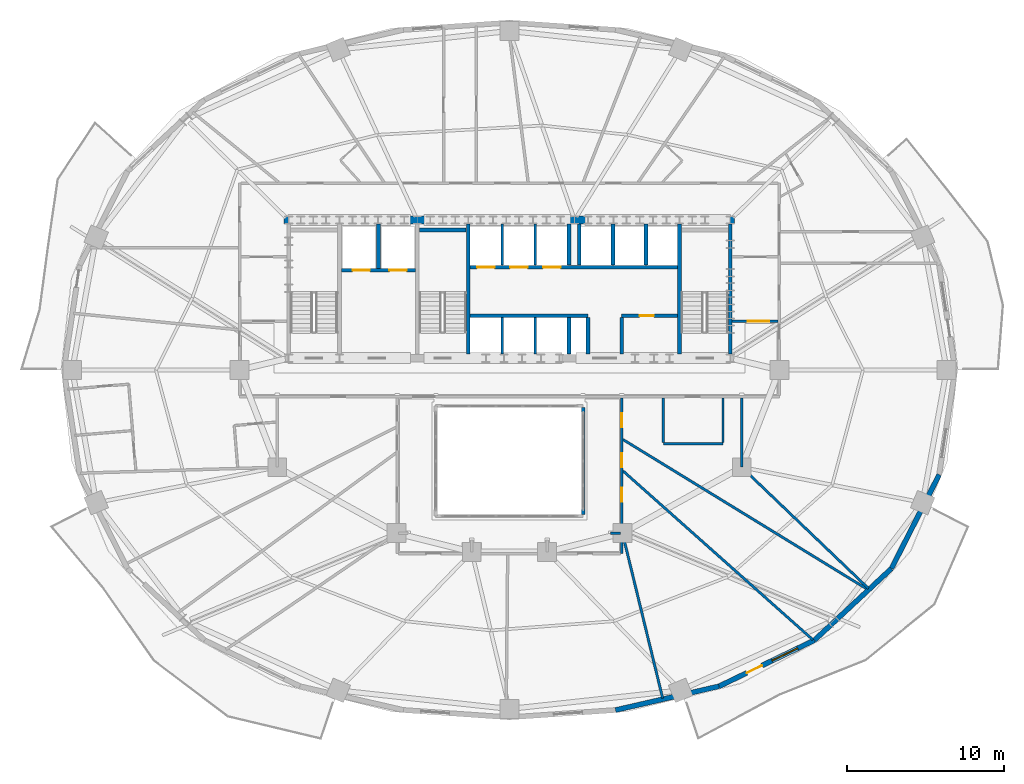
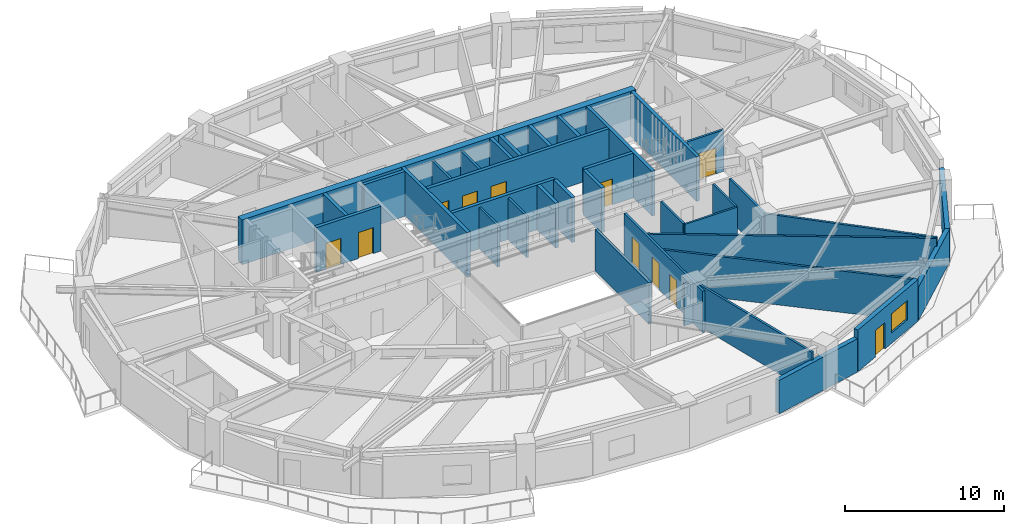
# One storey, part 8 of 14: 37 walls, 11 doors, 1 window, 12 openings.
"""IFC4 building model written with IfcOpenShell, lengths in metres."""

from ifc_helpers import new_model, si_unit, direction, frame, frame_2d, origin, place, context, subcontext, project, spatial, rectangle, extrude, material, layer, layer_set, type_object, element, fill, save


model = new_model("IFC4")

# Units and contexts
model_context = context("Model", 3, precision=1e-05, world=origin(), true_north=direction((0.0, 1.0)))
body_context = subcontext(model_context, "Body", "Model", "MODEL_VIEW")
ifc_project = project(units=[si_unit("LENGTHUNIT", "METRE"), si_unit("AREAUNIT", "SQUARE_METRE"), si_unit("VOLUMEUNIT", "CUBIC_METRE"), si_unit("PLANEANGLEUNIT", "RADIAN"), si_unit("MASSUNIT", "GRAM", prefix="KILO")], contexts=[model_context])

# Site, building, storey
site_placement = place(None, origin())
site = spatial("IfcSite", under=ifc_project, at=site_placement, CompositionType="ELEMENT")
building_placement = place(site_placement, origin())
building = spatial("IfcBuilding", under=site, at=building_placement, Name="Haldorwick Loom Tower", CompositionType="ELEMENT")
storey_placement = place(building_placement, frame((0.0, 0.0, 95.60009765625)))
storey = spatial("IfcBuildingStorey", under=building, at=storey_placement, Name="L25", CompositionType="ELEMENT", Elevation=95.60009765625)

# Wall
ifc_material_1 = material(Name="Pressed Clay Face Brick and Insulated Masonry Backup Assembly", Category="masonry")
ifc_layer_1 = layer(ifc_material_1, 0.320068359375, Name="Pressed Clay Face Brick and Insulated Masonry Backup Assembly", Category="masonry")
ifc_layer_set_1 = layer_set([ifc_layer_1], Name="Pressed Clay Face Brick and Insulated Masonry Backup Assembly")
wall_type_1 = type_object("IfcWallType", Name="ARC-WL-EXT320", PredefinedType="STANDARD", material=ifc_layer_set_1)
wall_1_placement = place(storey_placement, frame((42.757080078125, 4.325439453125, 0.0), z_axis=(0.0, 0.0, 1.0), x_axis=(0.974584177714, 0.224021607329, 0.0)))
element("IfcWall", 1, at=wall_1_placement, inside=storey, type_object=wall_type_1, Name="L25 Brick Pier and Spandrel Wall 20", PredefinedType="STANDARD", context=body_context, shape_type="SweptSolid", body=[
    extrude(rectangle(XDim=6.767822265625, YDim=0.320068359375, at=frame_2d((3.3837890625, 0.0))), origin(), (0.0, 0.0, 1.0), 2.56884765625),
])

# Wall, openings, door, window
wall_2_placement = place(storey_placement, frame((49.352783203125, 5.841552734375, 0.0), z_axis=(0.0, 0.0, 1.0), x_axis=(0.900510094661, 0.434835106004, 0.0)))
wall_2 = element("IfcWall", 2, at=wall_2_placement, inside=storey, type_object=wall_type_1, Name="L25 Brick Pier and Spandrel Wall 21", PredefinedType="STANDARD", context=body_context, shape_type="SweptSolid", body=[
    extrude(rectangle(XDim=6.744873046875, YDim=0.320068359375, at=frame_2d((3.37255859375, 0.0))), origin(), (0.0, 0.0, 1.0), 3.2099609375),
])
opening_1_placement = place(wall_2_placement, frame((1.96826171875, 0.0, 0.0)))
opening_1 = element("IfcOpeningElement", 3, at=opening_1_placement, cuts=wall_2, Name="Opening D-BL11", PredefinedType="OPENING", context=body_context, shape_type="SweptSolid", body=[
    extrude(rectangle(XDim=1.080078125, YDim=2.0400390625, at=frame_2d((0.5400390625, 1.02001953125))), frame((0.0, 0.169921875, 0.0), z_axis=(0.0, -1.0, 0.0), x_axis=(1.0, 0.0, 0.0)), (0.0, 0.0, 1.0), 0.340087890625),
])
opening_2_placement = place(wall_2_placement, frame((3.763916015625, 0.0, 0.800048828125)))
opening_2 = element("IfcOpeningElement", 4, at=opening_2_placement, cuts=wall_2, Name="Opening W-01", PredefinedType="OPENING", context=body_context, shape_type="SweptSolid", body=[
    extrude(rectangle(XDim=1.800048828125, YDim=1.47998046875, at=frame_2d((0.89990234375, 0.739990234375))), frame((0.0, 0.169921875, 0.0), z_axis=(0.0, -1.0, 0.0), x_axis=(1.0, 0.0, 0.0)), (0.0, 0.0, 1.0), 0.340087890625),
])
ifc_material_2 = material(Name="Thermally Broken Anodized Aluminium Curtain Wall Framing", Category="aluminium")
door_type_1 = type_object("IfcDoorType", Name="ARC-DR-BAL110", OperationType="NOTDEFINED", PredefinedType="DOOR", material=ifc_material_2)
door_1_placement = place(opening_1_placement, origin())
door_1 = element("IfcDoor", 5, at=door_1_placement, inside=storey, type_object=door_type_1, Name="L25 Outdoor Terrace Door SLB-L25-BAL_SE", OperationType="SINGLE_SWING_RIGHT", OverallHeight=2.0400390625, OverallWidth=1.080078125, PredefinedType="DOOR", context=body_context, shape_type="SweptSolid", body=[
    extrude(rectangle(XDim=1.080078125, YDim=2.0400390625, at=frame_2d((0.5400390625, 1.02001953125))), frame((0.0, 0.02490234375, 0.0), z_axis=(0.0, -1.0, 0.0), x_axis=(1.0, 0.0, 0.0)), (0.0, 0.0, 1.0), 0.050048828125),
])
fill(opening_1, door_1)
ifc_material_3 = material(Name="Triple-Glazed Low-E Argon Insulated Glazing Unit", Category="glass")
window_type = type_object("IfcWindowType", Name="ARC-WIN-W180", PartitioningType="SINGLE_PANEL", PredefinedType="WINDOW", material=ifc_material_3)
window_placement = place(opening_2_placement, origin())
window = element("IfcWindow", 6, at=window_placement, inside=storey, type_object=window_type, Name="L25 Deep-Set Zone 7A Window 21", OverallHeight=1.47998046875, OverallWidth=1.800048828125, PartitioningType="SINGLE_PANEL", PredefinedType="WINDOW", context=body_context, shape_type="SweptSolid", body=[
    extrude(rectangle(XDim=1.800048828125, YDim=1.47998046875, at=frame_2d((0.89990234375, 0.739990234375))), frame((0.0, 0.030029296875, 0.0), z_axis=(0.0, -1.0, 0.0), x_axis=(1.0, 0.0, 0.0)), (0.0, 0.0, 1.0), 0.06005859375),
])
fill(opening_2, window)

# Walls
wall_3_placement = place(storey_placement, frame((55.426513671875, 8.7744140625, 0.0), z_axis=(0.0, 0.0, 1.0), x_axis=(0.732137360086, 0.681157020052, 0.0)))
element("IfcWall", 7, at=wall_3_placement, inside=storey, type_object=wall_type_1, Name="L25 Brick Pier and Spandrel Wall 22", PredefinedType="STANDARD", context=body_context, shape_type="SweptSolid", body=[
    extrude(rectangle(XDim=6.709228515625, YDim=0.320068359375, at=frame_2d((3.3544921875, 0.0))), origin(), (0.0, 0.0, 1.0), 2.56884765625),
])
wall_4_placement = place(storey_placement, frame((60.338623046875, 13.344482421875, 0.0), z_axis=(0.0, 0.0, 1.0), x_axis=(0.453374078001, 0.89132033826, 0.0)))
element("IfcWall", 8, at=wall_4_placement, inside=storey, type_object=wall_type_1, Name="L25 Brick Pier and Spandrel Wall 23", PredefinedType="STANDARD", context=body_context, shape_type="SweptSolid", body=[
    extrude(rectangle(XDim=6.709716796875, YDim=0.320068359375, at=frame_2d((3.35498046875, 0.0))), origin(), (0.0, 0.0, 1.0), 2.56884765625),
])

# Wall, opening, door
ifc_material_4 = material(Name="Fire-Rated Type X Gypsum Stud Assembly EI 60")
ifc_layer_2 = layer(ifc_material_4, 0.159912109375, Name="Fire-Rated Type X Gypsum Stud Assembly EI 60")
ifc_layer_set_2 = layer_set([ifc_layer_2], Name="Fire-Rated Type X Gypsum Stud Assembly EI 60")
wall_type_2 = type_object("IfcWallType", Name="ARC-WL-FIRE160", PredefinedType="PARTITIONING", material=ifc_layer_set_2)
wall_5_placement = place(storey_placement, frame((50.193115234375, 29.10009765625, 0.0), z_axis=(0.0, 0.0, 1.0), x_axis=(1.0, 0.0, 0.0)))
wall_5 = element("IfcWall", 9, at=wall_5_placement, inside=storey, type_object=wall_type_2, Name="L25 Residential Fire Partition L25-CR-ESJ", PredefinedType="PARTITIONING", context=body_context, shape_type="SweptSolid", body=[
    extrude(rectangle(XDim=2.923828125, YDim=0.159912109375, at=frame_2d((1.4619140625, 0.0))), origin(), (0.0, 0.0, 1.0), 3.19482421875),
])
opening_3_placement = place(wall_5_placement, frame((0.99560546875, 0.0, 0.0)))
opening_3 = element("IfcOpeningElement", 10, at=opening_3_placement, cuts=wall_5, Name="Opening D-CR15", PredefinedType="OPENING", context=body_context, shape_type="SweptSolid", body=[
    extrude(rectangle(XDim=1.35009765625, YDim=2.0, at=frame_2d((0.675048828125, 1.0))), frame((0.0, 0.08984375, 0.0), z_axis=(0.0, -1.0, 0.0), x_axis=(1.0, 0.0, 0.0)), (0.0, 0.0, 1.0), 0.179931640625),
])
ifc_material_5 = material(Name="Thermally Broken Anodized Aluminium and Tempered Glass", Category="aluminium")
door_type_2 = type_object("IfcDoorType", Name="ARC-DR-COR150", OperationType="NOTDEFINED", PredefinedType="DOOR", material=ifc_material_5)
door_2_placement = place(opening_3_placement, origin())
door_2 = element("IfcDoor", 11, at=door_2_placement, inside=storey, type_object=door_type_2, Name="L25 L25 East Residential Corridor to L25 Central Residential Corridor Do", OperationType="DOUBLE_DOOR_SINGLE_SWING", OverallHeight=2.0, OverallWidth=1.35009765625, PredefinedType="DOOR", context=body_context, shape_type="SweptSolid", body=[
    extrude(rectangle(XDim=1.35009765625, YDim=2.0, at=frame_2d((0.675048828125, 1.0))), frame((0.0, 0.02490234375, 0.0), z_axis=(0.0, -1.0, 0.0), x_axis=(1.0, 0.0, 0.0)), (0.0, 0.0, 1.0), 0.050048828125),
])
fill(opening_3, door_2)

# Wall, openings, doors
wall_6_placement = place(storey_placement, frame((43.14990234375, 14.300048828125, 0.0), z_axis=(0.0, 0.0, 1.0), x_axis=(0.0, 1.0, 0.0)))
wall_6 = element("IfcWall", 12, at=wall_6_placement, inside=storey, type_object=wall_type_2, Name="L25 Residential Fire Partition L25-CR-AE", PredefinedType="PARTITIONING", context=body_context, shape_type="SweptSolid", body=[
    extrude(rectangle(XDim=9.9169921875, YDim=0.159912109375, at=frame_2d((4.95849609375, 0.0))), origin(), (0.0, 0.0, 1.0), 3.19482421875),
])
opening_4_placement = place(wall_6_placement, frame((3.28662109375, 0.0, 0.0)))
opening_4 = element("IfcOpeningElement", 13, at=opening_4_placement, cuts=wall_6, Name="Opening D-FD60A", PredefinedType="OPENING", context=body_context, shape_type="SweptSolid", body=[
    extrude(rectangle(XDim=0.89990234375, YDim=2.0, at=frame_2d((0.449951171875, 1.0))), frame((0.0, 0.08984375, 0.0), z_axis=(0.0, -1.0, 0.0), x_axis=(1.0, 0.0, 0.0)), (0.0, 0.0, 1.0), 0.179931640625),
])
opening_5_placement = place(wall_6_placement, frame((8.034423828125, 0.0, 0.0)))
opening_5 = element("IfcOpeningElement", 14, at=opening_5_placement, cuts=wall_6, Name="Opening D-FD60A", PredefinedType="OPENING", context=body_context, shape_type="SweptSolid", body=[
    extrude(rectangle(XDim=0.89990234375, YDim=2.0, at=frame_2d((0.449951171875, 1.0))), frame((0.0, 0.08984375, 0.0), z_axis=(0.0, -1.0, 0.0), x_axis=(1.0, 0.0, 0.0)), (0.0, 0.0, 1.0), 0.179931640625),
])
opening_6_placement = place(wall_6_placement, frame((5.500244140625, 0.0, 0.0)))
opening_6 = element("IfcOpeningElement", 15, at=opening_6_placement, cuts=wall_6, Name="Opening D-FD60A", PredefinedType="OPENING", context=body_context, shape_type="SweptSolid", body=[
    extrude(rectangle(XDim=0.89990234375, YDim=2.0, at=frame_2d((0.449951171875, 1.0))), frame((0.0, 0.08984375, 0.0), z_axis=(0.0, -1.0, 0.0), x_axis=(1.0, 0.0, 0.0)), (0.0, 0.0, 1.0), 0.179931640625),
])
ifc_material_6 = material(Name="Hollow Steel Fire Door Assembly", Category="steel")
door_type_3 = type_object("IfcDoorType", Name="ARC-DR-FD60-90", OperationType="NOTDEFINED", PredefinedType="DOOR", material=ifc_material_6)
door_3_placement = place(opening_4_placement, origin())
door_3 = element("IfcDoor", 16, at=door_3_placement, inside=storey, type_object=door_type_3, Name="L25 L25 South Atrium Corridor to Community Teaching Classroom 5 Door", OperationType="SINGLE_SWING_LEFT", OverallHeight=2.0, OverallWidth=0.89990234375, PredefinedType="DOOR", context=body_context, shape_type="SweptSolid", body=[
    extrude(rectangle(XDim=0.89990234375, YDim=2.0, at=frame_2d((0.449951171875, 1.0))), frame((0.0, 0.02490234375, 0.0), z_axis=(0.0, -1.0, 0.0), x_axis=(1.0, 0.0, 0.0)), (0.0, 0.0, 1.0), 0.050048828125),
])
fill(opening_4, door_3)
door_4_placement = place(opening_5_placement, origin())
door_4 = element("IfcDoor", 17, at=door_4_placement, inside=storey, type_object=door_type_3, Name="L25 L25 South Atrium Corridor to Youth Club Hall 1 Door", OperationType="SINGLE_SWING_RIGHT", OverallHeight=2.0, OverallWidth=0.89990234375, PredefinedType="DOOR", context=body_context, shape_type="SweptSolid", body=[
    extrude(rectangle(XDim=0.89990234375, YDim=2.0, at=frame_2d((0.449951171875, 1.0))), frame((0.0, 0.02490234375, 0.0), z_axis=(0.0, -1.0, 0.0), x_axis=(1.0, 0.0, 0.0)), (0.0, 0.0, 1.0), 0.050048828125),
])
fill(opening_5, door_4)
door_5_placement = place(opening_6_placement, origin())
door_5 = element("IfcDoor", 18, at=door_5_placement, inside=storey, type_object=door_type_3, Name="L25 L25 South Atrium Corridor to Community Teaching Classroom 6 Door", OperationType="SINGLE_SWING_LEFT", OverallHeight=2.0, OverallWidth=0.89990234375, PredefinedType="DOOR", context=body_context, shape_type="SweptSolid", body=[
    extrude(rectangle(XDim=0.89990234375, YDim=2.0, at=frame_2d((0.449951171875, 1.0))), frame((0.0, 0.02490234375, 0.0), z_axis=(0.0, -1.0, 0.0), x_axis=(1.0, 0.0, 0.0)), (0.0, 0.0, 1.0), 0.050048828125),
])
fill(opening_6, door_5)

# Walls
wall_7_placement = place(storey_placement, frame((50.800048828125, 19.800048828125, 0.0), z_axis=(0.0, 0.0, 1.0), x_axis=(0.722604855933, -0.691261326983, 0.0)))
element("IfcWall", 19, at=wall_7_placement, inside=storey, type_object=wall_type_2, Name="L25 Residential Fire Partition L25-ICR-02", PredefinedType="PARTITIONING", context=body_context, shape_type="SweptSolid", body=[
    extrude(rectangle(XDim=11.177490234375, YDim=0.159912109375, at=frame_2d((5.5888671875, 0.0))), origin(), (0.0, 0.0, 1.0), 3.19482421875),
])
wall_8_placement = place(storey_placement, frame((43.23291015625, 15.464599609375, 0.0), z_axis=(0.0, 0.0, 1.0), x_axis=(0.236752094278, -0.971570093125, 0.0)))
element("IfcWall", 20, at=wall_8_placement, inside=storey, type_object=wall_type_2, Name="L25 Residential Fire Partition L25-ICR-04", PredefinedType="PARTITIONING", context=body_context, shape_type="SweptSolid", body=[
    extrude(rectangle(XDim=10.685302734375, YDim=0.159912109375, at=frame_2d((5.3427734375, 0.0))), origin(), (0.0, 0.0, 1.0), 3.19482421875),
])
wall_9_placement = place(storey_placement, frame((50.800048828125, 24.217041015625, 0.0), z_axis=(0.0, 0.0, 1.0), x_axis=(0.0, -1.0, 0.0)))
element("IfcWall", 21, at=wall_9_placement, inside=storey, type_object=wall_type_2, Name="L25 Residential Fire Partition L25-ICA-01", PredefinedType="PARTITIONING", context=body_context, shape_type="SweptSolid", body=[
    extrude(rectangle(XDim=4.4169921875, YDim=0.159912109375, at=frame_2d((2.20849609375, 0.0))), origin(), (0.0, 0.0, 1.0), 3.19482421875),
])
wall_10_placement = place(storey_placement, frame((42.449951171875, 15.60009765625, 0.0), z_axis=(0.0, 0.0, 1.0), x_axis=(1.0, 0.0, 0.0)))
element("IfcWall", 22, at=wall_10_placement, inside=storey, type_object=wall_type_2, Name="L25 Residential Fire Partition L25-ICA-03", PredefinedType="PARTITIONING", context=body_context, shape_type="SweptSolid", body=[
    extrude(rectangle(XDim=0.616943359375, YDim=0.159912109375, at=frame_2d((0.30859375, 0.0))), origin(), (0.0, 0.0, 1.0), 3.19482421875),
])
wall_11_placement = place(storey_placement, frame((43.23291015625, 21.567138671875, 0.0), z_axis=(0.0, 0.0, 1.0), x_axis=(0.852621037399, -0.522529775788, 0.0)))
element("IfcWall", 23, at=wall_11_placement, inside=storey, type_object=wall_type_2, Name="L25 Suite Split Wall", PredefinedType="PARTITIONING", context=body_context, shape_type="SweptSolid", body=[
    extrude(rectangle(XDim=18.266357421875, YDim=0.159912109375, at=frame_2d((9.13330078125, 0.0))), origin(), (0.0, 0.0, 1.0), 3.19482421875),
])
wall_12_placement = place(storey_placement, frame((43.23291015625, 19.567626953125, 0.0), z_axis=(0.0, 0.0, 1.0), x_axis=(0.747261281393, -0.664530343424, 0.0)))
element("IfcWall", 24, at=wall_12_placement, inside=storey, type_object=wall_type_2, Name="L25 Suite Split Wall", PredefinedType="PARTITIONING", context=body_context, shape_type="SweptSolid", body=[
    extrude(rectangle(XDim=16.1982421875, YDim=0.159912109375, at=frame_2d((8.09912109375, 0.0))), origin(), (0.0, 0.0, 1.0), 3.19482421875),
])
ifc_material_7 = material(Name="Fire-Rated Type X Gypsum Stud Assembly EI 120")
ifc_layer_3 = layer(ifc_material_7, 0.199951171875, Name="Fire-Rated Type X Gypsum Stud Assembly EI 120")
ifc_layer_set_3 = layer_set([ifc_layer_3], Name="Fire-Rated Type X Gypsum Stud Assembly EI 120")
wall_type_3 = type_object("IfcWallType", Name="ARC-WL-FIRE200", PredefinedType="PARTITIONING", material=ifc_layer_set_3)
wall_13_placement = place(storey_placement, frame((40.699951171875, 23.596923828125, 0.0), z_axis=(0.0, 0.0, 1.0), x_axis=(0.0, -1.0, 0.0)))
element("IfcWall", 25, at=wall_13_placement, inside=storey, type_object=wall_type_3, Name="L25 Atrium Fire Enclosure Wall E", PredefinedType="PARTITIONING", context=body_context, shape_type="SweptSolid", body=[
    extrude(rectangle(XDim=6.7939453125, YDim=0.199951171875, at=frame_2d((3.39697265625, 0.0))), origin(), (0.0, 0.0, 1.0), 3.19482421875),
])
ifc_layer_4 = layer(ifc_material_4, 0.139892578125, Name="Fire-Rated Type X Gypsum Stud Assembly EI 60")
ifc_layer_set_4 = layer_set([ifc_layer_4], Name="Fire-Rated Type X Gypsum Stud Assembly EI 60")
wall_type_4 = type_object("IfcWallType", Name="ARC-WL-PART140", PredefinedType="PARTITIONING", material=ifc_layer_set_4)
wall_14_placement = place(storey_placement, frame((45.800048828125, 21.300048828125, 0.0), z_axis=(0.0, 0.0, 1.0), x_axis=(1.0, 0.0, 0.0)))
element("IfcWall", 26, at=wall_14_placement, inside=storey, type_object=wall_type_4, Name="L25 Residential Fire Partition L25-CWC-S", PredefinedType="PARTITIONING", context=body_context, shape_type="SweptSolid", body=[
    extrude(rectangle(XDim=3.800048828125, YDim=0.139892578125, at=frame_2d((1.89990234375, 0.0))), origin(), (0.0, 0.0, 1.0), 3.19482421875),
])
for number, where, z_axis, x_axis, name in (
    (27, (45.800048828125, 21.373046875, 0.0), (0.0, 0.0, 1.0), (0.0, 1.0, 0.0), "L25 Residential Fire Partition L25-CWC-W"),
    (28, (49.60009765625, 21.373046875, 0.0), (0.0, 0.0, 1.0), (0.0, 1.0, 0.0), "L25 Residential Fire Partition L25-CWC-E"),
):
    element("IfcWall", number, at=place(storey_placement, frame(where, z_axis=z_axis, x_axis=x_axis)), inside=storey, type_object=wall_type_4, Name=name, PredefinedType="PARTITIONING", context=body_context, shape_type="SweptSolid", body=[
        extrude(rectangle(XDim=2.843994140625, YDim=0.139892578125, at=frame_2d((1.421875, 0.0))), origin(), (0.0, 0.0, 1.0), 3.19482421875),
    ])
ifc_layer_5 = layer(ifc_material_7, 0.1650390625, Name="Fire-Rated Type X Gypsum Stud Assembly EI 120")
ifc_layer_set_5 = layer_set([ifc_layer_5], Name="Fire-Rated Type X Gypsum Stud Assembly EI 120")
wall_type_5 = type_object("IfcWallType", Name="ARC-WL-SHAFT160", PredefinedType="MOVABLE", material=ifc_layer_set_5)
for number, where, z_axis, x_axis, name in (
    (29, (35.550048828125, 32.673095703125, 0.0), (0.0, 0.0, 1.0), (0.0, 1.0, 0.0), "L25 Low-Rise Hoistway Divider 1"),
    (30, (37.64990234375, 32.673095703125, 0.0), (0.0, 0.0, 1.0), (0.0, 1.0, 0.0), "L25 Low-Rise Hoistway Divider 2"),
):
    element("IfcWall", number, at=place(storey_placement, frame(where, z_axis=z_axis, x_axis=x_axis)), inside=storey, type_object=wall_type_5, Name=name, PredefinedType="MOVABLE", context=body_context, shape_type="SweptSolid", body=[
        extrude(rectangle(XDim=2.6240234375, YDim=0.159912109375, at=frame_2d((1.31201171875, 0.0))), origin(), (0.0, 0.0, 1.0), 3.19482421875),
    ])
for number, where, z_axis, x_axis, name in (
    (31, (35.550048828125, 27.0029296875, 0.0), (0.0, 0.0, 1.0), (0.0, 1.0, 0.0), "L25 Mid-Rise Hoistway Divider 1"),
    (32, (37.64990234375, 27.0029296875, 0.0), (0.0, 0.0, 1.0), (0.0, 1.0, 0.0), "L25 Mid-Rise Hoistway Divider 2"),
):
    element("IfcWall", number, at=place(storey_placement, frame(where, z_axis=z_axis, x_axis=x_axis)), inside=storey, type_object=wall_type_5, Name=name, PredefinedType="MOVABLE", context=body_context, shape_type="SweptSolid", body=[
        extrude(rectangle(XDim=2.323974609375, YDim=0.159912109375, at=frame_2d((1.162109375, 0.0))), origin(), (0.0, 0.0, 1.0), 3.19482421875),
    ])
ifc_material_8 = material(Name="Concrete C60 (60 MPa)", Category="concrete")
ifc_layer_6 = layer(ifc_material_8, 0.5, Name="Concrete C60 (60 MPa)", Category="concrete")
ifc_layer_set_6 = layer_set([ifc_layer_6], Name="Concrete C60 (60 MPa)")
wall_type_6 = type_object("IfcWallType", Name="STR-WL-CORE500", PredefinedType="SHEAR", material=ifc_layer_set_6)
wall_15_placement = place(storey_placement, frame((50.35009765625, 35.550048828125, 0.0), z_axis=(0.0, 0.0, 1.0), x_axis=(-1.0, 0.0, 0.0)))
element("IfcWall", 33, at=wall_15_placement, inside=storey, type_object=wall_type_6, Name="L25 Core Shear Wall N", PredefinedType="SHEAR", context=body_context, shape_type="SweptSolid", body=[
    extrude(rectangle(XDim=28.7001953125, YDim=0.5, at=frame_2d((14.35009765625, 0.0))), origin(), (0.0, 0.0, 1.0), 3.449951171875),
])
ifc_material_9 = material(Name="Concrete C50 (50 MPa)", Category="concrete")
ifc_layer_7 = layer(ifc_material_9, 0.239990234375, Name="Concrete C50 (50 MPa)", Category="concrete")
ifc_layer_set_7 = layer_set([ifc_layer_7], Name="Concrete C50 (50 MPa)")
wall_type_7 = type_object("IfcWallType", Name="STR-WL-SHAFT240", PredefinedType="SHEAR", material=ifc_layer_set_7)
for number, where, z_axis, x_axis, name in (
    (34, (50.070068359375, 27.0029296875, 0.0), (0.0, 0.0, 1.0), (0.0, 1.0, 0.0), "L25 Core Shear Wall E"),
    (35, (33.3701171875, 27.0029296875, 0.0), (0.0, 0.0, 1.0), (0.0, 1.0, 0.0), "L25 Core Shear Wall 3"),
):
    element("IfcWall", number, at=place(storey_placement, frame(where, z_axis=z_axis, x_axis=x_axis)), inside=storey, type_object=wall_type_7, Name=name, PredefinedType="SHEAR", context=body_context, shape_type="SweptSolid", body=[
        extrude(rectangle(XDim=8.294189453125, YDim=0.239990234375, at=frame_2d((4.14697265625, 0.0))), origin(), (0.0, 0.0, 1.0), 3.449951171875),
    ])
wall_16_placement = place(storey_placement, frame((30.2529296875, 34.919921875, 0.0), z_axis=(0.0, 0.0, 1.0), x_axis=(1.0, 0.0, 0.0)))
element("IfcWall", 36, at=wall_16_placement, inside=storey, type_object=wall_type_7, Name="L25 Core Shear Wall 3N", PredefinedType="SHEAR", context=body_context, shape_type="SweptSolid", body=[
    extrude(rectangle(XDim=2.994140625, YDim=0.239990234375, at=frame_2d((1.4970703125, 0.0))), origin(), (0.0, 0.0, 1.0), 3.449951171875),
])
wall_17_placement = place(storey_placement, frame((46.830078125, 27.0029296875, 0.0), z_axis=(0.0, 0.0, 1.0), x_axis=(0.0, 1.0, 0.0)))
element("IfcWall", 37, at=wall_17_placement, inside=storey, type_object=wall_type_7, Name="L25 Core Shear Wall 4", PredefinedType="SHEAR", context=body_context, shape_type="SweptSolid", body=[
    extrude(rectangle(XDim=8.294189453125, YDim=0.239990234375, at=frame_2d((4.14697265625, 0.0))), origin(), (0.0, 0.0, 1.0), 3.449951171875),
])

# Wall, openings, doors
wall_18_placement = place(storey_placement, frame((25.29296875, 32.35009765625, 0.0), z_axis=(0.0, 0.0, 1.0), x_axis=(1.0, 0.0, 0.0)))
wall_18 = element("IfcWall", 38, at=wall_18_placement, inside=storey, type_object=wall_type_7, Name="L25 Core Shear Wall FF", PredefinedType="SHEAR", context=body_context, shape_type="SweptSolid", body=[
    extrude(rectangle(XDim=4.714111328125, YDim=0.239990234375, at=frame_2d((2.35693359375, 0.0))), origin(), (0.0, 0.0, 1.0), 3.449951171875),
])
opening_7_placement = place(wall_18_placement, frame((0.70703125, 0.0, 0.0)))
opening_7 = element("IfcOpeningElement", 39, at=opening_7_placement, cuts=wall_18, Name="Opening LD-FF1", PredefinedType="OPENING", context=body_context, shape_type="SweptSolid", body=[
    extrude(rectangle(XDim=1.10009765625, YDim=2.0, at=frame_2d((0.550048828125, 1.0))), frame((0.0, 0.1298828125, 0.0), z_axis=(0.0, -1.0, 0.0), x_axis=(1.0, 0.0, 0.0)), (0.0, 0.0, 1.0), 0.260009765625),
])
opening_8_placement = place(wall_18_placement, frame((3.056884765625, 0.0, 0.0)))
opening_8 = element("IfcOpeningElement", 40, at=opening_8_placement, cuts=wall_18, Name="Opening LD-FF2", PredefinedType="OPENING", context=body_context, shape_type="SweptSolid", body=[
    extrude(rectangle(XDim=1.10009765625, YDim=2.0, at=frame_2d((0.550048828125, 1.0))), frame((0.0, 0.1298828125, 0.0), z_axis=(0.0, -1.0, 0.0), x_axis=(1.0, 0.0, 0.0)), (0.0, 0.0, 1.0), 0.260009765625),
])
door_type_4 = type_object("IfcDoorType", Name="ARC-DR-LD-FF", OperationType="NOTDEFINED", PredefinedType="USERDEFINED", material=ifc_material_6)
door_6_placement = place(opening_7_placement, origin())
door_6 = element("IfcDoor", 41, at=door_6_placement, inside=storey, type_object=door_type_4, Name="L25 Lift LF-FF1 Sliding Landing Door", ObjectType="LANDING DOOR", OperationType="DOUBLE_DOOR_SLIDING", OverallHeight=2.0, OverallWidth=1.10009765625, PredefinedType="USERDEFINED", context=body_context, shape_type="SweptSolid", body=[
    extrude(rectangle(XDim=1.10009765625, YDim=2.0, at=frame_2d((0.550048828125, 1.0))), frame((0.0, 0.02490234375, 0.0), z_axis=(0.0, -1.0, 0.0), x_axis=(1.0, 0.0, 0.0)), (0.0, 0.0, 1.0), 0.050048828125),
])
fill(opening_7, door_6)
door_7_placement = place(opening_8_placement, origin())
door_7 = element("IfcDoor", 42, at=door_7_placement, inside=storey, type_object=door_type_4, Name="L25 Lift LF-FF2 Sliding Landing Door", ObjectType="LANDING DOOR", OperationType="DOUBLE_DOOR_SLIDING", OverallHeight=2.0, OverallWidth=1.10009765625, PredefinedType="USERDEFINED", context=body_context, shape_type="SweptSolid", body=[
    extrude(rectangle(XDim=1.10009765625, YDim=2.0, at=frame_2d((0.550048828125, 1.0))), frame((0.0, 0.02490234375, 0.0), z_axis=(0.0, -1.0, 0.0), x_axis=(1.0, 0.0, 0.0)), (0.0, 0.0, 1.0), 0.050048828125),
])
fill(opening_8, door_7)

# Wall
wall_19_placement = place(storey_placement, frame((27.64990234375, 32.472900390625, 0.0), z_axis=(0.0, 0.0, 1.0), x_axis=(0.0, 1.0, 0.0)))
element("IfcWall", 43, at=wall_19_placement, inside=storey, type_object=wall_type_7, Name="L25 Core Shear Wall FFD", PredefinedType="SHEAR", context=body_context, shape_type="SweptSolid", body=[
    extrude(rectangle(XDim=2.82421875, YDim=0.239990234375, at=frame_2d((1.412109375, 0.0))), origin(), (0.0, 0.0, 1.0), 3.449951171875),
])

# Wall, openings, doors
wall_20_placement = place(storey_placement, frame((33.492919921875, 32.550048828125, 0.0), z_axis=(0.0, 0.0, 1.0), x_axis=(1.0, 0.0, 0.0)))
wall_20 = element("IfcWall", 44, at=wall_20_placement, inside=storey, type_object=wall_type_7, Name="L25 Core Shear Wall LN", PredefinedType="SHEAR", context=body_context, shape_type="SweptSolid", body=[
    extrude(rectangle(XDim=13.214111328125, YDim=0.239990234375, at=frame_2d((6.60693359375, 0.0))), origin(), (0.0, 0.0, 1.0), 3.449951171875),
])
opening_9_placement = place(wall_20_placement, frame((0.447021484375, 0.0, 0.0)))
opening_9 = element("IfcOpeningElement", 45, at=opening_9_placement, cuts=wall_20, Name="Opening LD-L1", PredefinedType="OPENING", context=body_context, shape_type="SweptSolid", body=[
    extrude(rectangle(XDim=1.1201171875, YDim=2.0, at=frame_2d((0.56005859375, 1.0))), frame((0.0, 0.1298828125, 0.0), z_axis=(0.0, -1.0, 0.0), x_axis=(1.0, 0.0, 0.0)), (0.0, 0.0, 1.0), 0.260009765625),
])
opening_10_placement = place(wall_20_placement, frame((2.547119140625, 0.0, 0.0)))
opening_10 = element("IfcOpeningElement", 46, at=opening_10_placement, cuts=wall_20, Name="Opening LD-L2", PredefinedType="OPENING", context=body_context, shape_type="SweptSolid", body=[
    extrude(rectangle(XDim=1.1201171875, YDim=2.0, at=frame_2d((0.56005859375, 1.0))), frame((0.0, 0.1298828125, 0.0), z_axis=(0.0, -1.0, 0.0), x_axis=(1.0, 0.0, 0.0)), (0.0, 0.0, 1.0), 0.260009765625),
])
opening_11_placement = place(wall_20_placement, frame((4.64697265625, 0.0, 0.0)))
opening_11 = element("IfcOpeningElement", 47, at=opening_11_placement, cuts=wall_20, Name="Opening LD-L3", PredefinedType="OPENING", context=body_context, shape_type="SweptSolid", body=[
    extrude(rectangle(XDim=1.1201171875, YDim=2.0, at=frame_2d((0.56005859375, 1.0))), frame((0.0, 0.1298828125, 0.0), z_axis=(0.0, -1.0, 0.0), x_axis=(1.0, 0.0, 0.0)), (0.0, 0.0, 1.0), 0.260009765625),
])
door_type_5 = type_object("IfcDoorType", Name="ARC-DR-LD-PAX", OperationType="NOTDEFINED", PredefinedType="USERDEFINED", material=ifc_material_6)
door_8_placement = place(opening_9_placement, origin())
door_8 = element("IfcDoor", 48, at=door_8_placement, inside=storey, type_object=door_type_5, Name="L25 Lift LF-L1 Sliding Landing Door", ObjectType="LANDING DOOR", OperationType="DOUBLE_DOOR_SLIDING", OverallHeight=2.0, OverallWidth=1.1201171875, PredefinedType="USERDEFINED", context=body_context, shape_type="SweptSolid", body=[
    extrude(rectangle(XDim=1.1201171875, YDim=2.0, at=frame_2d((0.56005859375, 1.0))), frame((0.0, 0.02490234375, 0.0), z_axis=(0.0, -1.0, 0.0), x_axis=(1.0, 0.0, 0.0)), (0.0, 0.0, 1.0), 0.050048828125),
])
fill(opening_9, door_8)
door_9_placement = place(opening_10_placement, origin())
door_9 = element("IfcDoor", 49, at=door_9_placement, inside=storey, type_object=door_type_5, Name="L25 Lift LF-L2 Sliding Landing Door", ObjectType="LANDING DOOR", OperationType="DOUBLE_DOOR_SLIDING", OverallHeight=2.0, OverallWidth=1.1201171875, PredefinedType="USERDEFINED", context=body_context, shape_type="SweptSolid", body=[
    extrude(rectangle(XDim=1.1201171875, YDim=2.0, at=frame_2d((0.56005859375, 1.0))), frame((0.0, 0.02490234375, 0.0), z_axis=(0.0, -1.0, 0.0), x_axis=(1.0, 0.0, 0.0)), (0.0, 0.0, 1.0), 0.050048828125),
])
fill(opening_10, door_9)
door_10_placement = place(opening_11_placement, origin())
door_10 = element("IfcDoor", 50, at=door_10_placement, inside=storey, type_object=door_type_5, Name="L25 Lift LF-L3 Sliding Landing Door", ObjectType="LANDING DOOR", OperationType="DOUBLE_DOOR_SLIDING", OverallHeight=2.0, OverallWidth=1.1201171875, PredefinedType="USERDEFINED", context=body_context, shape_type="SweptSolid", body=[
    extrude(rectangle(XDim=1.1201171875, YDim=2.0, at=frame_2d((0.56005859375, 1.0))), frame((0.0, 0.02490234375, 0.0), z_axis=(0.0, -1.0, 0.0), x_axis=(1.0, 0.0, 0.0)), (0.0, 0.0, 1.0), 0.050048828125),
])
fill(opening_11, door_10)

# Wall
wall_21_placement = place(storey_placement, frame((33.492919921875, 29.449951171875, 0.0), z_axis=(0.0, 0.0, 1.0), x_axis=(1.0, 0.0, 0.0)))
element("IfcWall", 51, at=wall_21_placement, inside=storey, type_object=wall_type_7, Name="L25 Core Shear Wall LS1", PredefinedType="SHEAR", context=body_context, shape_type="SweptSolid", body=[
    extrude(rectangle(XDim=7.507080078125, YDim=0.239990234375, at=frame_2d((3.75341796875, 0.0))), origin(), (0.0, 0.0, 1.0), 3.449951171875),
])

# Wall, opening, door
wall_22_placement = place(storey_placement, frame((43.14990234375, 29.449951171875, 0.0), z_axis=(0.0, 0.0, 1.0), x_axis=(1.0, 0.0, 0.0)))
wall_22 = element("IfcWall", 52, at=wall_22_placement, inside=storey, type_object=wall_type_7, Name="L25 Core Shear Wall LS2", PredefinedType="SHEAR", context=body_context, shape_type="SweptSolid", body=[
    extrude(rectangle(XDim=3.55712890625, YDim=0.239990234375, at=frame_2d((1.778564453125, 0.0))), origin(), (0.0, 0.0, 1.0), 3.449951171875),
])
opening_12_placement = place(wall_22_placement, frame((1.14990234375, 0.0, 0.0)))
opening_12 = element("IfcOpeningElement", 53, at=opening_12_placement, cuts=wall_22, Name="Opening D-FD60A", PredefinedType="OPENING", context=body_context, shape_type="SweptSolid", body=[
    extrude(rectangle(XDim=0.89990234375, YDim=2.0, at=frame_2d((0.449951171875, 1.0))), frame((0.0, 0.1298828125, 0.0), z_axis=(0.0, -1.0, 0.0), x_axis=(1.0, 0.0, 0.0)), (0.0, 0.0, 1.0), 0.260009765625),
])
door_11_placement = place(opening_12_placement, origin())
door_11 = element("IfcDoor", 54, at=door_11_placement, inside=storey, type_object=door_type_3, Name="L25 Electrical Metering Door", OperationType="SINGLE_SWING_LEFT", OverallHeight=2.0, OverallWidth=0.89990234375, PredefinedType="DOOR", context=body_context, shape_type="SweptSolid", body=[
    extrude(rectangle(XDim=0.89990234375, YDim=2.0, at=frame_2d((0.449951171875, 1.0))), frame((0.0, 0.02490234375, 0.0), z_axis=(0.0, -1.0, 0.0), x_axis=(1.0, 0.0, 0.0)), (0.0, 0.0, 1.0), 0.050048828125),
])
fill(opening_12, door_11)

# Walls
for number, where, z_axis, x_axis, name in (
    (55, (41.0, 27.0029296875, 0.0), (0.0, 0.0, 1.0), (0.0, 1.0, 0.0), "L25 Core Shear Wall THW"),
    (56, (43.14990234375, 27.0029296875, 0.0), (0.0, 0.0, 1.0), (0.0, 1.0, 0.0), "L25 Core Shear Wall THE"),
):
    element("IfcWall", number, at=place(storey_placement, frame(where, z_axis=z_axis, x_axis=x_axis)), inside=storey, type_object=wall_type_7, Name=name, PredefinedType="SHEAR", context=body_context, shape_type="SweptSolid", body=[
        extrude(rectangle(XDim=2.323974609375, YDim=0.239990234375, at=frame_2d((1.162109375, 0.0))), origin(), (0.0, 0.0, 1.0), 3.449951171875),
    ])
for number, where, z_axis, x_axis, name in (
    (57, (39.800048828125, 32.673095703125, 0.0), (0.0, 0.0, 1.0), (0.0, 1.0, 0.0), "L25 Core Shear Wall LHW"),
    (58, (40.449951171875, 32.673095703125, 0.0), (0.0, 0.0, 1.0), (0.0, 1.0, 0.0), "L25 Core Shear Wall H0"),
    (59, (42.60009765625, 32.673095703125, 0.0), (0.0, 0.0, 1.0), (0.0, 1.0, 0.0), "L25 Core Shear Wall H1"),
    (60, (44.699951171875, 32.673095703125, 0.0), (0.0, 0.0, 1.0), (0.0, 1.0, 0.0), "L25 Core Shear Wall H2"),
):
    element("IfcWall", number, at=place(storey_placement, frame(where, z_axis=z_axis, x_axis=x_axis)), inside=storey, type_object=wall_type_7, Name=name, PredefinedType="SHEAR", context=body_context, shape_type="SweptSolid", body=[
        extrude(rectangle(XDim=2.6240234375, YDim=0.239990234375, at=frame_2d((1.31201171875, 0.0))), origin(), (0.0, 0.0, 1.0), 3.449951171875),
    ])
wall_23_placement = place(storey_placement, frame((39.800048828125, 27.0029296875, 0.0), z_axis=(0.0, 0.0, 1.0), x_axis=(0.0, 1.0, 0.0)))
element("IfcWall", 61, at=wall_23_placement, inside=storey, type_object=wall_type_7, Name="L25 Core Shear Wall MRW", PredefinedType="SHEAR", context=body_context, shape_type="SweptSolid", body=[
    extrude(rectangle(XDim=2.323974609375, YDim=0.239990234375, at=frame_2d((1.162109375, 0.0))), origin(), (0.0, 0.0, 1.0), 3.449951171875),
])

save(model, "model.ifc")
